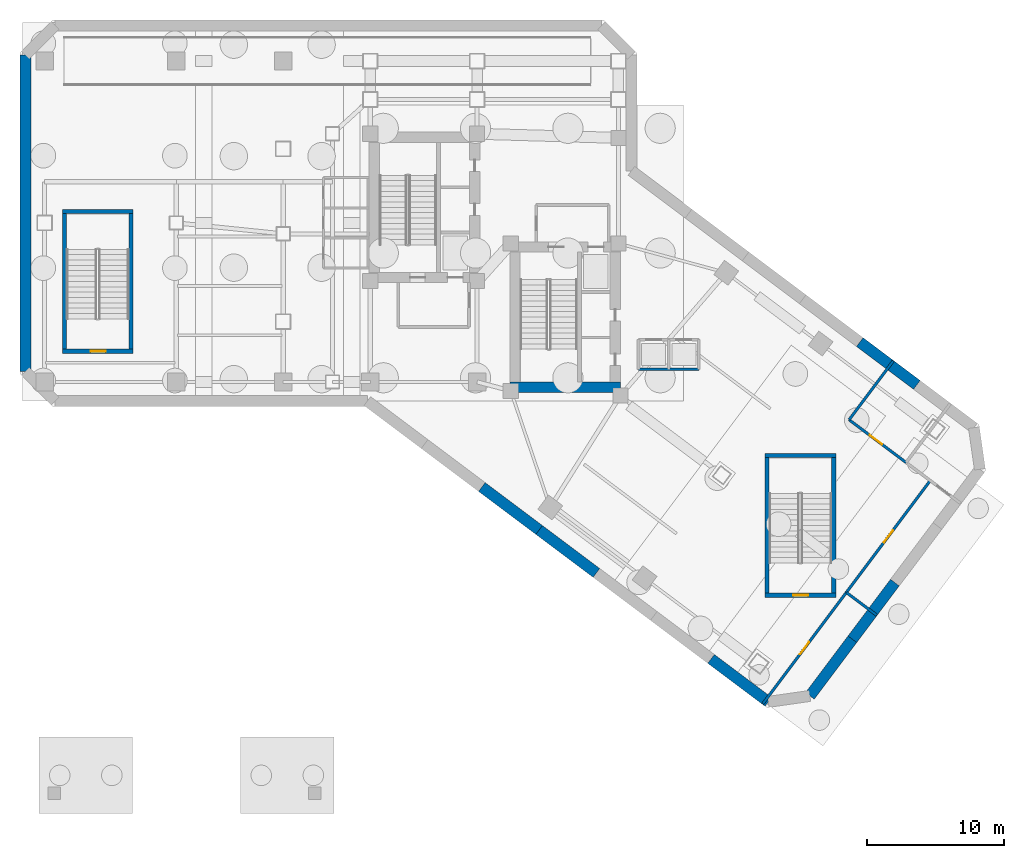
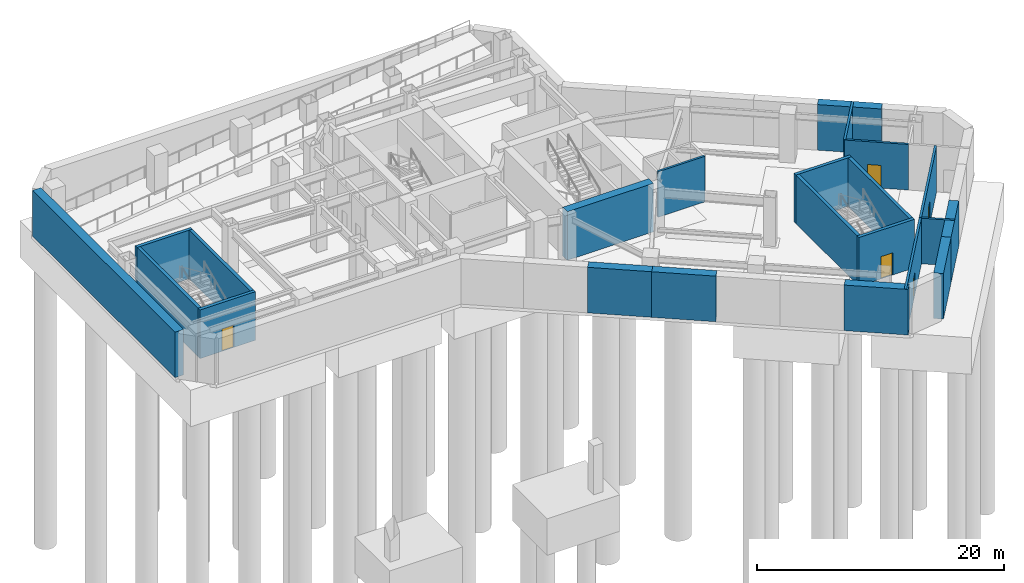
# One storey, part 3 of 9: 22 walls, 5 doors, 5 openings.
"""IFC4 building model written with IfcOpenShell, lengths in metres."""

from ifc_helpers import new_model, si_unit, direction, frame, frame_2d, origin, place, context, subcontext, project, spatial, rectangle, extrude, material, layer, layer_set, type_object, element, fill, save


model = new_model("IFC4")

# Units and contexts
model_context = context("Model", 3, precision=1e-05, world=origin(), true_north=direction((0.0, 1.0)))
body_context = subcontext(model_context, "Body", "Model", "MODEL_VIEW")
ifc_project = project(units=[si_unit("LENGTHUNIT", "METRE"), si_unit("AREAUNIT", "SQUARE_METRE"), si_unit("VOLUMEUNIT", "CUBIC_METRE"), si_unit("PLANEANGLEUNIT", "RADIAN"), si_unit("MASSUNIT", "GRAM", prefix="KILO")], contexts=[model_context])

# Site, building, storey
site_placement = place(None, origin())
site = spatial("IfcSite", under=ifc_project, at=site_placement, CompositionType="ELEMENT")
building_placement = place(site_placement, origin())
building = spatial("IfcBuilding", under=site, at=building_placement, Name="Hatsunagi Terrace Concourse", CompositionType="ELEMENT")
storey_placement = place(building_placement, frame((0.0, 0.0, -9.60009765625)))
storey = spatial("IfcBuildingStorey", under=building, at=storey_placement, Name="B02", CompositionType="ELEMENT", Elevation=-9.60009765625)

# Walls
ifc_material_1 = material(Name="Concrete Fc48", Category="concrete")
ifc_layer_1 = layer(ifc_material_1, 0.800048828125)
ifc_layer_set_1 = layer_set([ifc_layer_1], Name="BasementRetainingWall_Fc48_800")
wall_type_1 = type_object("IfcWallType", Name="BasementRetainingWall_Fc48_800", PredefinedType="SHEAR", material=ifc_layer_set_1)
wall_1_placement = place(storey_placement, frame((61.258056640625, 28.10595703125, 0.0), z_axis=(0.0, 0.0, 1.0), x_axis=(0.8, -0.6, 0.0)))
element("IfcWall", 1, at=wall_1_placement, inside=storey, type_object=wall_type_1, Name="Basement Retaining Wall B02-01-5", PredefinedType="SHEAR", context=body_context, shape_type="SweptSolid", body=[
    extrude(rectangle(XDim=5.205078125, YDim=0.800048828125, at=frame_2d((2.6025390625, 0.0))), origin(), (0.0, 0.0, 1.0), 4.5),
])
wall_2_placement = place(storey_placement, frame((63.820068359375, 10.56005859375, 0.0), z_axis=(0.0, 0.0, 1.0), x_axis=(-0.600158745341, -0.799880916381, 0.0)))
element("IfcWall", 2, at=wall_2_placement, inside=storey, type_object=wall_type_1, Name="Basement Retaining Wall B02-03-3", PredefinedType="SHEAR", context=body_context, shape_type="SweptSolid", body=[
    extrude(rectangle(XDim=5.1669921875, YDim=0.800048828125, at=frame_2d((2.58349609375, 0.0))), origin(), (0.0, 0.0, 1.0), 4.5),
])
wall_3_placement = place(storey_placement, frame((60.718994140625, 6.427001953125, 0.0), z_axis=(0.0, 0.0, 1.0), x_axis=(-0.599947081635, -0.800039686039, 0.0)))
element("IfcWall", 3, at=wall_3_placement, inside=storey, type_object=wall_type_1, Name="Basement Retaining Wall B02-03-4", PredefinedType="SHEAR", context=body_context, shape_type="SweptSolid", body=[
    extrude(rectangle(XDim=5.167236328125, YDim=0.800048828125, at=frame_2d((2.58349609375, 0.0))), origin(), (0.0, 0.0, 1.0), 4.5),
])
wall_4_placement = place(storey_placement, frame((54.5869140625, 1.85888671875, 0.0), z_axis=(0.0, 0.0, 1.0), x_axis=(-0.800016825418, 0.599977565455, 0.0)))
element("IfcWall", 4, at=wall_4_placement, inside=storey, type_object=wall_type_1, Name="Basement Retaining Wall B02-05-1", PredefinedType="SHEAR", context=body_context, shape_type="SweptSolid", body=[
    extrude(rectangle(XDim=5.2236328125, YDim=0.800048828125, at=frame_2d((2.61181640625, 0.0))), origin(), (0.0, 0.0, 1.0), 4.5),
])
wall_5_placement = place(storey_placement, frame((42.050048828125, 11.261962890625, 0.0), z_axis=(0.0, 0.0, 1.0), x_axis=(-0.799994392855, 0.60000747612, 0.0)))
element("IfcWall", 5, at=wall_5_placement, inside=storey, type_object=wall_type_1, Name="Basement Retaining Wall B02-05-4", PredefinedType="SHEAR", context=body_context, shape_type="SweptSolid", body=[
    extrude(rectangle(XDim=5.224853515625, YDim=0.800048828125, at=frame_2d((2.6123046875, 0.0))), origin(), (0.0, 0.0, 1.0), 4.5),
])
wall_6_placement = place(storey_placement, frame((37.8701171875, 14.39697265625, 0.0), z_axis=(0.0, 0.0, 1.0), x_axis=(-0.800033648948, 0.599955132115, 0.0)))
element("IfcWall", 6, at=wall_6_placement, inside=storey, type_object=wall_type_1, Name="Basement Retaining Wall B02-05-5", PredefinedType="SHEAR", context=body_context, shape_type="SweptSolid", body=[
    extrude(rectangle(XDim=5.223876953125, YDim=0.800048828125, at=frame_2d((2.61181640625, 0.0))), origin(), (0.0, 0.0, 1.0), 4.5),
])
wall_7_placement = place(storey_placement, frame((0.39990234375, 25.966064453125, 0.0), z_axis=(0.0, 0.0, 1.0), x_axis=(0.0, 1.0, 0.0)))
element("IfcWall", 7, at=wall_7_placement, inside=storey, type_object=wall_type_1, Name="Basement Retaining Wall B02-08", PredefinedType="SHEAR", context=body_context, shape_type="SweptSolid", body=[
    extrude(rectangle(XDim=23.06787109375, YDim=0.800048828125, at=frame_2d((11.533935546875, 0.0))), origin(), (0.0, 0.0, 1.0), 4.5),
])
ifc_material_2 = material(Name="Concrete Fc60", Category="concrete")
ifc_layer_2 = layer(ifc_material_2, 0.75)
ifc_layer_set_2 = layer_set([ifc_layer_2], Name="CoreShearWall_Fc60_750")
wall_type_2 = type_object("IfcWallType", Name="CoreShearWall_Fc60_750", PredefinedType="SHEAR", material=ifc_layer_set_2)
wall_8_placement = place(storey_placement, frame((35.739990234375, 24.81494140625, 0.0), z_axis=(0.0, 0.0, 1.0), x_axis=(1.0, 0.0, 0.0)))
element("IfcWall", 8, at=wall_8_placement, inside=storey, type_object=wall_type_2, Name="Core B Shear Wall S B02", PredefinedType="SHEAR", context=body_context, shape_type="SweptSolid", body=[
    extrude(rectangle(XDim=8.06005859375, YDim=0.75, at=frame_2d((4.030029296875, 0.0))), origin(), (0.0, 0.0, 1.0), 4.800048828125),
])

# Wall, opening, door
ifc_material_3 = material(Name="Concrete Fc48", Category="concrete")
ifc_layer_3 = layer(ifc_material_3, 0.300048828125)
ifc_layer_set_3 = layer_set([ifc_layer_3], Name="CoreStairDivider_Fc48_300")
wall_type_3 = type_object("IfcWallType", Name="CoreStairDivider_Fc48_300", PredefinedType="SHEAR", material=ifc_layer_set_3)
wall_9_placement = place(storey_placement, frame((3.090087890625, 27.43994140625, 0.0), z_axis=(0.0, 0.0, 1.0), x_axis=(1.0, 0.0, 0.0)))
wall_9 = element("IfcWall", 9, at=wall_9_placement, inside=storey, type_object=wall_type_3, Name="Podium Stair P1 Shear Wall S B02", PredefinedType="SHEAR", context=body_context, shape_type="SweptSolid", body=[
    extrude(rectangle(XDim=5.169921875, YDim=0.300048828125, at=frame_2d((2.5849609375, 0.0))), origin(), (0.0, 0.0, 1.0), 4.800048828125),
])
opening_1_placement = place(wall_9_placement, frame((2.06005859375, 0.0, 0.0)))
opening_1 = element("IfcOpeningElement", 10, at=opening_1_placement, cuts=wall_9, Name="Opening DR-110S", PredefinedType="OPENING", context=body_context, shape_type="SweptSolid", body=[
    extrude(rectangle(XDim=1.10009765625, YDim=2.199951171875, at=frame_2d((0.550048828125, 1.10009765625))), frame((0.0, 0.159912109375, 0.0), z_axis=(0.0, -1.0, 0.0), x_axis=(1.0, 0.0, 0.0)), (0.0, 0.0, 1.0), 0.320068359375),
])
ifc_material_4 = material(Name="Painted steel", Category="steel")
door_type_1 = type_object("IfcDoorType", Name="StairFireDoor_EI60_1100", OperationType="NOTDEFINED", PredefinedType="DOOR", material=ifc_material_4)
door_1_placement = place(opening_1_placement, origin())
door_1 = element("IfcDoor", 11, at=door_1_placement, inside=storey, type_object=door_type_1, Name="Stair ST-P1 Exit Door B02", OperationType="SINGLE_SWING_LEFT", OverallHeight=2.199951171875, OverallWidth=1.10009765625, PredefinedType="DOOR", context=body_context, shape_type="SweptSolid", body=[
    extrude(rectangle(XDim=1.10009765625, YDim=2.199951171875, at=frame_2d((0.550048828125, 1.10009765625))), frame((0.0, 0.02490234375, 0.0), z_axis=(0.0, -1.0, 0.0), x_axis=(1.0, 0.0, 0.0)), (0.0, 0.0, 1.0), 0.050048828125),
])
fill(opening_1, door_1)

# Walls
wall_10_placement = place(storey_placement, frame((3.090087890625, 37.6201171875, 0.0), z_axis=(0.0, 0.0, 1.0), x_axis=(1.0, 0.0, 0.0)))
element("IfcWall", 12, at=wall_10_placement, inside=storey, type_object=wall_type_3, Name="Podium Stair P1 Shear Wall N B02", PredefinedType="SHEAR", context=body_context, shape_type="SweptSolid", body=[
    extrude(rectangle(XDim=5.169921875, YDim=0.300048828125, at=frame_2d((2.5849609375, 0.0))), origin(), (0.0, 0.0, 1.0), 4.800048828125),
])
for number, where, z_axis, x_axis, name in (
    (13, (3.239990234375, 27.590087890625, 0.0), (0.0, 0.0, 1.0), (0.0, 1.0, 0.0), "Podium Stair P1 Shear Wall W B02"),
    (14, (8.110107421875, 27.590087890625, 0.0), (0.0, 0.0, 1.0), (0.0, 1.0, 0.0), "Podium Stair P1 Shear Wall E B02"),
):
    element("IfcWall", number, at=place(storey_placement, frame(where, z_axis=z_axis, x_axis=x_axis)), inside=storey, type_object=wall_type_3, Name=name, PredefinedType="SHEAR", context=body_context, shape_type="SweptSolid", body=[
        extrude(rectangle(XDim=9.8798828125, YDim=0.300048828125, at=frame_2d((4.93994140625, 0.0))), origin(), (0.0, 0.0, 1.0), 4.800048828125),
    ])

# Wall, opening, door
wall_11_placement = place(storey_placement, frame((54.340087890625, 9.639892578125, 0.0), z_axis=(0.0, 0.0, 1.0), x_axis=(1.0, 0.0, 0.0)))
wall_11 = element("IfcWall", 15, at=wall_11_placement, inside=storey, type_object=wall_type_3, Name="Podium Stair P2 Shear Wall S B02", PredefinedType="SHEAR", context=body_context, shape_type="SweptSolid", body=[
    extrude(rectangle(XDim=5.169921875, YDim=0.300048828125, at=frame_2d((2.5849609375, 0.0))), origin(), (0.0, 0.0, 1.0), 4.800048828125),
])
opening_2_placement = place(wall_11_placement, frame((2.06005859375, 0.0, 0.0)))
opening_2 = element("IfcOpeningElement", 16, at=opening_2_placement, cuts=wall_11, Name="Opening DR-110S", PredefinedType="OPENING", context=body_context, shape_type="SweptSolid", body=[
    extrude(rectangle(XDim=1.10009765625, YDim=2.199951171875, at=frame_2d((0.550048828125, 1.10009765625))), frame((0.0, 0.159912109375, 0.0), z_axis=(0.0, -1.0, 0.0), x_axis=(1.0, 0.0, 0.0)), (0.0, 0.0, 1.0), 0.320068359375),
])
door_2_placement = place(opening_2_placement, origin())
door_2 = element("IfcDoor", 17, at=door_2_placement, inside=storey, type_object=door_type_1, Name="Stair ST-P2 Exit Door B02", OperationType="SINGLE_SWING_RIGHT", OverallHeight=2.199951171875, OverallWidth=1.10009765625, PredefinedType="DOOR", context=body_context, shape_type="SweptSolid", body=[
    extrude(rectangle(XDim=1.10009765625, YDim=2.199951171875, at=frame_2d((0.550048828125, 1.10009765625))), frame((0.0, 0.02490234375, 0.0), z_axis=(0.0, -1.0, 0.0), x_axis=(1.0, 0.0, 0.0)), (0.0, 0.0, 1.0), 0.050048828125),
])
fill(opening_2, door_2)

# Walls
wall_12_placement = place(storey_placement, frame((54.340087890625, 19.820068359375, 0.0), z_axis=(0.0, 0.0, 1.0), x_axis=(1.0, 0.0, 0.0)))
element("IfcWall", 18, at=wall_12_placement, inside=storey, type_object=wall_type_3, Name="Podium Stair P2 Shear Wall N B02", PredefinedType="SHEAR", context=body_context, shape_type="SweptSolid", body=[
    extrude(rectangle(XDim=5.169921875, YDim=0.300048828125, at=frame_2d((2.5849609375, 0.0))), origin(), (0.0, 0.0, 1.0), 4.800048828125),
])
for number, where, z_axis, x_axis, name in (
    (19, (54.489990234375, 9.7900390625, 0.0), (0.0, 0.0, 1.0), (0.0, 1.0, 0.0), "Podium Stair P2 Shear Wall W B02"),
    (20, (59.360107421875, 9.7900390625, 0.0), (0.0, 0.0, 1.0), (0.0, 1.0, 0.0), "Podium Stair P2 Shear Wall E B02"),
):
    element("IfcWall", number, at=place(storey_placement, frame(where, z_axis=z_axis, x_axis=x_axis)), inside=storey, type_object=wall_type_3, Name=name, PredefinedType="SHEAR", context=body_context, shape_type="SweptSolid", body=[
        extrude(rectangle(XDim=9.8798828125, YDim=0.300048828125, at=frame_2d((4.93994140625, 0.0))), origin(), (0.0, 0.0, 1.0), 4.800048828125),
    ])
ifc_material_5 = material(Name="Acoustic mineral board", Category="gypsum")
ifc_layer_4 = layer(ifc_material_5, 0.199951171875)
ifc_layer_set_4 = layer_set([ifc_layer_4], Name="ShaftWall_EI120_200")
wall_type_4 = type_object("IfcWallType", Name="ShaftWall_EI120_200", PredefinedType="STANDARD", material=ifc_layer_set_4)
wall_13_placement = place(storey_placement, frame((45.1201171875, 26.1201171875, 0.0), z_axis=(0.0, 0.0, 1.0), x_axis=(1.0, 0.0, 0.0)))
element("IfcWall", 21, at=wall_13_placement, inside=storey, type_object=wall_type_4, Name="Interior Partition IW-B02-011", PredefinedType="STANDARD", context=body_context, shape_type="SweptSolid", body=[
    extrude(rectangle(XDim=4.39990234375, YDim=0.199951171875, at=frame_2d((2.199951171875, 0.0))), origin(), (0.0, 0.0, 1.0), 4.5),
])

# Wall, opening, door
wall_14_placement = place(storey_placement, frame((60.47998046875, 22.43994140625, 0.0), z_axis=(0.0, 0.0, 1.0), x_axis=(0.800005634138, -0.599992487743, 0.0)))
wall_14 = element("IfcWall", 22, at=wall_14_placement, inside=storey, type_object=wall_type_4, Name="Interior Partition IW-B02-024", PredefinedType="STANDARD", context=body_context, shape_type="SweptSolid", body=[
    extrude(rectangle(XDim=5.199951171875, YDim=0.199951171875, at=frame_2d((2.60009765625, 0.0))), origin(), (0.0, 0.0, 1.0), 4.5),
])
opening_3_placement = place(wall_14_placement, frame((1.883056640625, 0.0, 0.0)))
opening_3 = element("IfcOpeningElement", 23, at=opening_3_placement, cuts=wall_14, Name="Opening DR-110F", PredefinedType="OPENING", context=body_context, shape_type="SweptSolid", body=[
    extrude(rectangle(XDim=1.10009765625, YDim=2.239990234375, at=frame_2d((0.550048828125, 1.1201171875))), frame((0.0, 0.10986328125, 0.0), z_axis=(0.0, -1.0, 0.0), x_axis=(1.0, 0.0, 0.0)), (0.0, 0.0, 1.0), 0.219970703125),
])
ifc_material_6 = material(Name="Painted steel", Category="steel")
door_type_2 = type_object("IfcDoorType", Name="FireDoor_EI60_1100", OperationType="NOTDEFINED", PredefinedType="DOOR", material=ifc_material_6)
door_3_placement = place(opening_3_placement, origin())
door_3 = element("IfcDoor", 24, at=door_3_placement, inside=storey, type_object=door_type_2, Name="Standby Power Hall B02-MP1 Door", OperationType="SINGLE_SWING_RIGHT", OverallHeight=2.239990234375, OverallWidth=1.10009765625, PredefinedType="DOOR", context=body_context, shape_type="SweptSolid", body=[
    extrude(rectangle(XDim=1.10009765625, YDim=2.239990234375, at=frame_2d((0.550048828125, 1.1201171875))), frame((0.0, 0.02490234375, 0.0), z_axis=(0.0, -1.0, 0.0), x_axis=(1.0, 0.0, 0.0)), (0.0, 0.0, 1.0), 0.050048828125),
])
fill(opening_3, door_3)

# Walls
wall_15_placement = place(storey_placement, frame((60.47998046875, 22.43994140625, 0.0), z_axis=(0.0, 0.0, 1.0), x_axis=(0.6, 0.8, 0.0)))
element("IfcWall", 25, at=wall_15_placement, inside=storey, type_object=wall_type_4, Name="Interior Partition IW-B02-025", PredefinedType="STANDARD", context=body_context, shape_type="SweptSolid", body=[
    extrude(rectangle(XDim=5.360107421875, YDim=0.199951171875, at=frame_2d((2.68017578125, 0.0))), origin(), (0.0, 0.0, 1.0), 4.5),
])
wall_16_placement = place(storey_placement, frame((60.280029296875, 9.840087890625, 0.0), z_axis=(0.0, 0.0, 1.0), x_axis=(0.8, -0.6, 0.0)))
element("IfcWall", 26, at=wall_16_placement, inside=storey, type_object=wall_type_4, Name="Interior Partition IW-B02-028", PredefinedType="STANDARD", context=body_context, shape_type="SweptSolid", body=[
    extrude(rectangle(XDim=2.760009765625, YDim=0.199951171875, at=frame_2d((1.3798828125, 0.0))), origin(), (0.0, 0.0, 1.0), 4.5),
])

# Wall, opening, door
wall_17_placement = place(storey_placement, frame((54.18408203125, 1.7119140625, 0.0), z_axis=(0.0, 0.0, 1.0), x_axis=(0.599988465857, 0.800008650477, 0.0)))
wall_17 = element("IfcWall", 27, at=wall_17_placement, inside=storey, type_object=wall_type_4, Name="Interior Partition IW-B02-029", PredefinedType="STANDARD", context=body_context, shape_type="SweptSolid", body=[
    extrude(rectangle(XDim=10.16015625, YDim=0.199951171875, at=frame_2d((5.080078125, 0.0))), origin(), (0.0, 0.0, 1.0), 4.5),
])
opening_4_placement = place(wall_17_placement, frame((4.530029296875, 0.0, 0.0)))
opening_4 = element("IfcOpeningElement", 28, at=opening_4_placement, cuts=wall_17, Name="Opening DR-110F", PredefinedType="OPENING", context=body_context, shape_type="SweptSolid", body=[
    extrude(rectangle(XDim=1.10009765625, YDim=2.239990234375, at=frame_2d((0.550048828125, 1.1201171875))), frame((0.0, 0.10986328125, 0.0), z_axis=(0.0, -1.0, 0.0), x_axis=(1.0, 0.0, 0.0)), (0.0, 0.0, 1.0), 0.219970703125),
])
door_4_placement = place(opening_4_placement, origin())
door_4 = element("IfcDoor", 29, at=door_4_placement, inside=storey, type_object=door_type_2, Name="Chiller Plant Room B02-MP3 Door", OperationType="SINGLE_SWING_RIGHT", OverallHeight=2.239990234375, OverallWidth=1.10009765625, PredefinedType="DOOR", context=body_context, shape_type="SweptSolid", body=[
    extrude(rectangle(XDim=1.10009765625, YDim=2.239990234375, at=frame_2d((0.550048828125, 1.1201171875))), frame((0.0, 0.02490234375, 0.0), z_axis=(0.0, -1.0, 0.0), x_axis=(1.0, 0.0, 0.0)), (0.0, 0.0, 1.0), 0.050048828125),
])
fill(opening_4, door_4)

wall_18_placement = place(storey_placement, frame((60.280029296875, 9.840087890625, 0.0), z_axis=(0.0, 0.0, 1.0), x_axis=(0.599996170281, 0.800002872275, 0.0)))
wall_18 = element("IfcWall", 30, at=wall_18_placement, inside=storey, type_object=wall_type_4, Name="Interior Partition IW-B02-030", PredefinedType="STANDARD", context=body_context, shape_type="SweptSolid", body=[
    extrude(rectangle(XDim=10.199951171875, YDim=0.199951171875, at=frame_2d((5.10009765625, 0.0))), origin(), (0.0, 0.0, 1.0), 4.5),
])
opening_5_placement = place(wall_18_placement, frame((4.550048828125, 0.0, 0.0)))
opening_5 = element("IfcOpeningElement", 31, at=opening_5_placement, cuts=wall_18, Name="Opening DR-110F", PredefinedType="OPENING", context=body_context, shape_type="SweptSolid", body=[
    extrude(rectangle(XDim=1.10009765625, YDim=2.239990234375, at=frame_2d((0.550048828125, 1.1201171875))), frame((0.0, 0.10986328125, 0.0), z_axis=(0.0, -1.0, 0.0), x_axis=(1.0, 0.0, 0.0)), (0.0, 0.0, 1.0), 0.219970703125),
])
door_5_placement = place(opening_5_placement, origin())
door_5 = element("IfcDoor", 32, at=door_5_placement, inside=storey, type_object=door_type_2, Name="Sprinkler Pump Room B02-MP4 Door", OperationType="SINGLE_SWING_RIGHT", OverallHeight=2.239990234375, OverallWidth=1.10009765625, PredefinedType="DOOR", context=body_context, shape_type="SweptSolid", body=[
    extrude(rectangle(XDim=1.10009765625, YDim=2.239990234375, at=frame_2d((0.550048828125, 1.1201171875))), frame((0.0, 0.02490234375, 0.0), z_axis=(0.0, -1.0, 0.0), x_axis=(1.0, 0.0, 0.0)), (0.0, 0.0, 1.0), 0.050048828125),
])
fill(opening_5, door_5)

save(model, "model.ifc")
